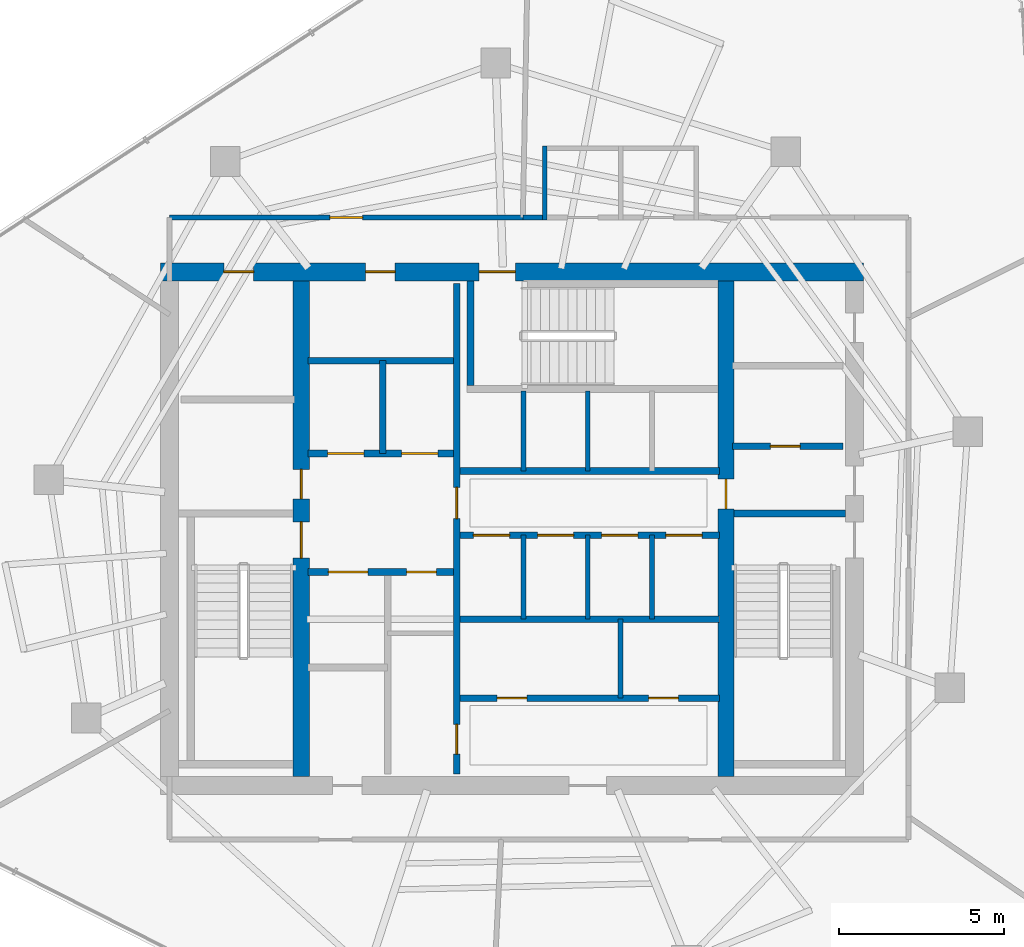
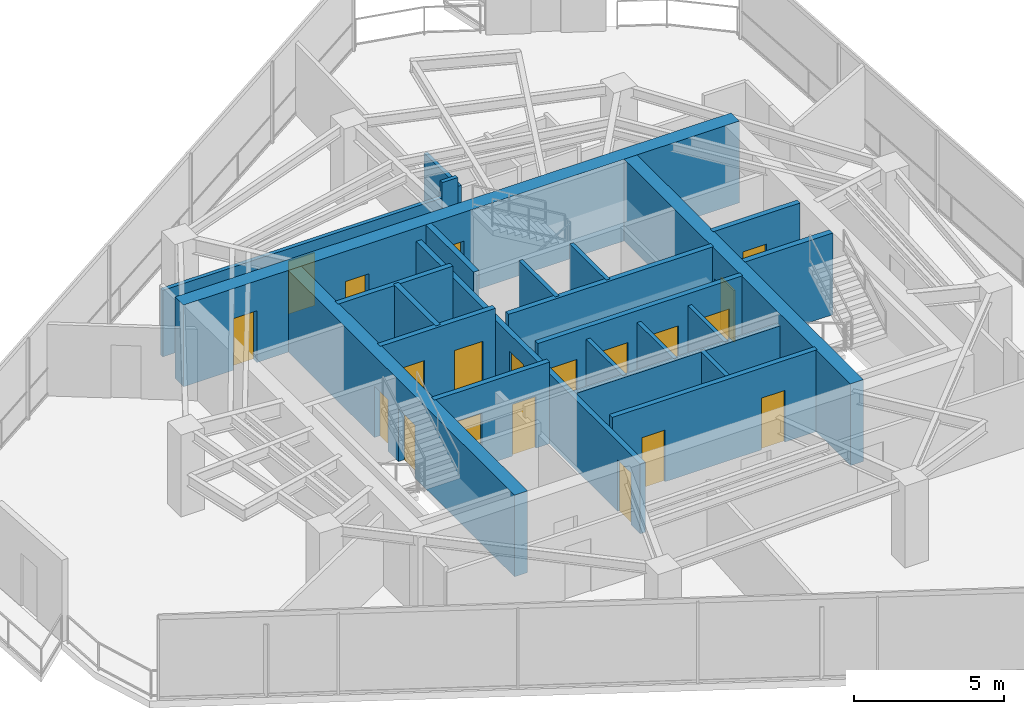
# One storey, part 15 of 18: 24 walls, 20 doors, 20 openings.
"""IFC4 building model written with IfcOpenShell, lengths in metres."""

from ifc_helpers import new_model, si_unit, direction, frame, frame_2d, origin, place, context, subcontext, project, spatial, rectangle, extrude, material, layer, layer_set, type_object, element, fill, save


model = new_model("IFC4")

# Units and contexts
model_context = context("Model", 3, precision=1e-05, world=origin(), true_north=direction((0.0, 1.0)))
body_context = subcontext(model_context, "Body", "Model", "MODEL_VIEW")
ifc_project = project(units=[si_unit("LENGTHUNIT", "METRE"), si_unit("AREAUNIT", "SQUARE_METRE"), si_unit("VOLUMEUNIT", "CUBIC_METRE"), si_unit("PLANEANGLEUNIT", "RADIAN"), si_unit("MASSUNIT", "GRAM", prefix="KILO")], contexts=[model_context])

# Site, building, storey
site_placement = place(None, origin())
site = spatial("IfcSite", under=ifc_project, at=site_placement, CompositionType="ELEMENT")
building_placement = place(site_placement, origin())
building = spatial("IfcBuilding", under=site, at=building_placement, Name="Qarnah Convention Tower", CompositionType="ELEMENT")
storey_placement = place(building_placement, frame((0.0, 0.0, 191.39990234375)))
storey = spatial("IfcBuildingStorey", under=building, at=storey_placement, Name="L51", CompositionType="ELEMENT", Elevation=191.39990234375)

# Wall, openings, doors
ifc_material_1 = material(Name="Concrete C60/75", Category="concrete")
ifc_layer_1 = layer(ifc_material_1, 0.550048828125)
ifc_layer_set_1 = layer_set([ifc_layer_1], Name="Concrete C60/75")
wall_type_1 = type_object("IfcWallType", Name="WL-CORE-550", PredefinedType="SHEAR", material=ifc_layer_set_1)
wall_1_placement = place(storey_placement, frame((26.52490234375, 34.199951171875, 0.0), z_axis=(0.0, 0.0, 1.0), x_axis=(1.0, 0.0, 0.0)))
wall_1 = element("IfcWall", 1, at=wall_1_placement, inside=storey, type_object=wall_type_1, Name="L51 core north shear wall", PredefinedType="SHEAR", context=body_context, shape_type="SweptSolid", body=[
    extrude(rectangle(XDim=21.35009765625, YDim=0.550048828125, at=frame_2d((10.675048828125, 0.0))), origin(), (0.0, 0.0, 1.0), 3.320068359375),
])
opening_1_placement = place(wall_1_placement, frame((9.675048828125, 0.0, 0.0)))
opening_1 = element("IfcOpeningElement", 2, at=opening_1_placement, cuts=wall_1, Name="Opening D-5103", PredefinedType="OPENING", context=body_context, shape_type="SweptSolid", body=[
    extrude(rectangle(XDim=1.10009765625, YDim=2.14990234375, at=frame_2d((0.550048828125, 1.074951171875))), frame((0.0, 0.284912109375, 0.0), z_axis=(0.0, -1.0, 0.0), x_axis=(1.0, 0.0, 0.0)), (0.0, 0.0, 1.0), 0.570068359375),
])
opening_2_placement = place(wall_1_placement, frame((1.925048828125, 0.0, 0.0)))
opening_2 = element("IfcOpeningElement", 3, at=opening_2_placement, cuts=wall_1, Name="Opening D-5109", PredefinedType="OPENING", context=body_context, shape_type="SweptSolid", body=[
    extrude(rectangle(XDim=0.89990234375, YDim=2.10009765625, at=frame_2d((0.449951171875, 1.050048828125))), frame((0.0, 0.284912109375, 0.0), z_axis=(0.0, -1.0, 0.0), x_axis=(1.0, 0.0, 0.0)), (0.0, 0.0, 1.0), 0.570068359375),
])
opening_3_placement = place(wall_1_placement, frame((6.22509765625, 0.0, 0.0)))
opening_3 = element("IfcOpeningElement", 4, at=opening_3_placement, cuts=wall_1, Name="Opening D-5110", PredefinedType="OPENING", context=body_context, shape_type="SweptSolid", body=[
    extrude(rectangle(XDim=0.89990234375, YDim=2.10009765625, at=frame_2d((0.449951171875, 1.050048828125))), frame((0.0, 0.284912109375, 0.0), z_axis=(0.0, -1.0, 0.0), x_axis=(1.0, 0.0, 0.0)), (0.0, 0.0, 1.0), 0.570068359375),
])
ifc_material_2 = material(Name="Structural steel S355JR", Category="steel")
door_type_1 = type_object("IfcDoorType", Name="DT-RISER-900", OperationType="NOTDEFINED", PredefinedType="DOOR", material=ifc_material_2)
door_1_placement = place(opening_2_placement, origin())
door_1 = element("IfcDoor", 5, at=door_1_placement, inside=storey, type_object=door_type_1, Name="Door D-5109", OperationType="SINGLE_SWING_RIGHT", OverallHeight=2.10009765625, OverallWidth=0.89990234375, PredefinedType="DOOR", context=body_context, shape_type="SweptSolid", body=[
    extrude(rectangle(XDim=0.89990234375, YDim=2.10009765625, at=frame_2d((0.449951171875, 1.050048828125))), frame((0.0, 0.02490234375, 0.0), z_axis=(0.0, -1.0, 0.0), x_axis=(1.0, 0.0, 0.0)), (0.0, 0.0, 1.0), 0.050048828125),
])
fill(opening_2, door_1)
door_2_placement = place(opening_3_placement, origin())
door_2 = element("IfcDoor", 6, at=door_2_placement, inside=storey, type_object=door_type_1, Name="Door D-5110", OperationType="SINGLE_SWING_LEFT", OverallHeight=2.10009765625, OverallWidth=0.89990234375, PredefinedType="DOOR", context=body_context, shape_type="SweptSolid", body=[
    extrude(rectangle(XDim=0.89990234375, YDim=2.10009765625, at=frame_2d((0.449951171875, 1.050048828125))), frame((0.0, 0.02490234375, 0.0), z_axis=(0.0, -1.0, 0.0), x_axis=(1.0, 0.0, 0.0)), (0.0, 0.0, 1.0), 0.050048828125),
])
fill(opening_3, door_2)
door_type_2 = type_object("IfcDoorType", Name="DT-STAIR-1100", OperationType="NOTDEFINED", PredefinedType="DOOR", material=ifc_material_2)
door_3_placement = place(opening_1_placement, origin())
door_3 = element("IfcDoor", 7, at=door_3_placement, inside=storey, type_object=door_type_2, Name="Door D-5103", OperationType="SINGLE_SWING_RIGHT", OverallHeight=2.14990234375, OverallWidth=1.10009765625, PredefinedType="DOOR", context=body_context, shape_type="SweptSolid", body=[
    extrude(rectangle(XDim=1.10009765625, YDim=2.14990234375, at=frame_2d((0.550048828125, 1.074951171875))), frame((0.0, 0.02490234375, 0.0), z_axis=(0.0, -1.0, 0.0), x_axis=(1.0, 0.0, 0.0)), (0.0, 0.0, 1.0), 0.050048828125),
])
fill(opening_1, door_3)

ifc_layer_2 = layer(ifc_material_1, 0.5)
ifc_layer_set_2 = layer_set([ifc_layer_2], Name="Concrete C60/75")
wall_type_2 = type_object("IfcWallType", Name="WL-CORE-INT-400", PredefinedType="SHEAR", material=ifc_layer_set_2)
wall_2_placement = place(storey_placement, frame((30.800048828125, 18.875, 0.0), z_axis=(0.0, 0.0, 1.0), x_axis=(0.0, 1.0, 0.0)))
wall_2 = element("IfcWall", 8, at=wall_2_placement, inside=storey, type_object=wall_type_2, Name="L51 core west spine shear wall", PredefinedType="SHEAR", context=body_context, shape_type="SweptSolid", body=[
    extrude(rectangle(XDim=15.050048828125, YDim=0.5, at=frame_2d((7.52490234375, 0.0))), origin(), (0.0, 0.0, 1.0), 3.320068359375),
])
opening_4_placement = place(wall_2_placement, frame((6.625, 0.0, 0.0)))
opening_4 = element("IfcOpeningElement", 9, at=opening_4_placement, cuts=wall_2, Name="Opening D-5101", PredefinedType="OPENING", context=body_context, shape_type="SweptSolid", body=[
    extrude(rectangle(XDim=1.10009765625, YDim=2.14990234375, at=frame_2d((0.550048828125, 1.074951171875))), frame((0.0, 0.260009765625, 0.0), z_axis=(0.0, -1.0, 0.0), x_axis=(1.0, 0.0, 0.0)), (0.0, 0.0, 1.0), 0.52001953125),
])
opening_5_placement = place(wall_2_placement, frame((8.425048828125, 0.0, 0.0)))
opening_5 = element("IfcOpeningElement", 10, at=opening_5_placement, cuts=wall_2, Name="Opening D-5108", PredefinedType="OPENING", context=body_context, shape_type="SweptSolid", body=[
    extrude(rectangle(XDim=0.89990234375, YDim=2.10009765625, at=frame_2d((0.449951171875, 1.050048828125))), frame((0.0, 0.260009765625, 0.0), z_axis=(0.0, -1.0, 0.0), x_axis=(1.0, 0.0, 0.0)), (0.0, 0.0, 1.0), 0.52001953125),
])
door_4_placement = place(opening_5_placement, origin())
door_4 = element("IfcDoor", 11, at=door_4_placement, inside=storey, type_object=door_type_1, Name="Door D-5108", OperationType="SINGLE_SWING_LEFT", OverallHeight=2.10009765625, OverallWidth=0.89990234375, PredefinedType="DOOR", context=body_context, shape_type="SweptSolid", body=[
    extrude(rectangle(XDim=0.89990234375, YDim=2.10009765625, at=frame_2d((0.449951171875, 1.050048828125))), frame((0.0, 0.02490234375, 0.0), z_axis=(0.0, -1.0, 0.0), x_axis=(1.0, 0.0, 0.0)), (0.0, 0.0, 1.0), 0.050048828125),
])
fill(opening_5, door_4)
door_5_placement = place(opening_4_placement, origin())
door_5 = element("IfcDoor", 12, at=door_5_placement, inside=storey, type_object=door_type_2, Name="Door D-5101", OperationType="SINGLE_SWING_RIGHT", OverallHeight=2.14990234375, OverallWidth=1.10009765625, PredefinedType="DOOR", context=body_context, shape_type="SweptSolid", body=[
    extrude(rectangle(XDim=1.10009765625, YDim=2.14990234375, at=frame_2d((0.550048828125, 1.074951171875))), frame((0.0, 0.02490234375, 0.0), z_axis=(0.0, -1.0, 0.0), x_axis=(1.0, 0.0, 0.0)), (0.0, 0.0, 1.0), 0.050048828125),
])
fill(opening_4, door_5)

# Wall, opening, door
wall_3_placement = place(storey_placement, frame((43.699951171875, 18.875, 0.0), z_axis=(0.0, 0.0, 1.0), x_axis=(0.0, 1.0, 0.0)))
wall_3 = element("IfcWall", 13, at=wall_3_placement, inside=storey, type_object=wall_type_2, Name="L51 core east spine shear wall", PredefinedType="SHEAR", context=body_context, shape_type="SweptSolid", body=[
    extrude(rectangle(XDim=15.050048828125, YDim=0.5, at=frame_2d((7.52490234375, 0.0))), origin(), (0.0, 0.0, 1.0), 3.320068359375),
])
opening_6_placement = place(wall_3_placement, frame((8.125, 0.0, 0.0)))
opening_6 = element("IfcOpeningElement", 14, at=opening_6_placement, cuts=wall_3, Name="Opening D-5105", PredefinedType="OPENING", context=body_context, shape_type="SweptSolid", body=[
    extrude(rectangle(XDim=0.89990234375, YDim=2.10009765625, at=frame_2d((0.449951171875, 1.050048828125))), frame((0.0, 0.260009765625, 0.0), z_axis=(0.0, -1.0, 0.0), x_axis=(1.0, 0.0, 0.0)), (0.0, 0.0, 1.0), 0.52001953125),
])
door_6_placement = place(opening_6_placement, origin())
door_6 = element("IfcDoor", 15, at=door_6_placement, inside=storey, type_object=door_type_1, Name="Door D-5105", OperationType="SINGLE_SWING_RIGHT", OverallHeight=2.10009765625, OverallWidth=0.89990234375, PredefinedType="DOOR", context=body_context, shape_type="SweptSolid", body=[
    extrude(rectangle(XDim=0.89990234375, YDim=2.10009765625, at=frame_2d((0.449951171875, 1.050048828125))), frame((0.0, 0.02490234375, 0.0), z_axis=(0.0, -1.0, 0.0), x_axis=(1.0, 0.0, 0.0)), (0.0, 0.0, 1.0), 0.050048828125),
])
fill(opening_6, door_6)

ifc_material_3 = material(Name="Concrete C45/55", Category="concrete")
ifc_layer_3 = layer(ifc_material_3, 0.199951171875)
ifc_layer_set_3 = layer_set([ifc_layer_3], Name="Concrete C45/55")
wall_type_3 = type_object("IfcWallType", Name="WL-CORE-PART-200", PredefinedType="SOLIDWALL", material=ifc_layer_set_3)
wall_4_placement = place(storey_placement, frame((43.89990234375, 28.89990234375, 0.0), z_axis=(0.0, 0.0, 1.0), x_axis=(1.0, 0.0, 0.0)))
wall_4 = element("IfcWall", 16, at=wall_4_placement, inside=storey, type_object=wall_type_3, Name="L51 interior wall IW-L51-EVSTN", PredefinedType="SOLIDWALL", context=body_context, shape_type="SweptSolid", body=[
    extrude(rectangle(XDim=3.35009765625, YDim=0.199951171875, at=frame_2d((1.675048828125, 0.0))), origin(), (0.0, 0.0, 1.0), 3.320068359375),
])
opening_7_placement = place(wall_4_placement, frame((1.14990234375, 0.0, 0.0)))
opening_7 = element("IfcOpeningElement", 17, at=opening_7_placement, cuts=wall_4, Name="Opening D-5111", PredefinedType="OPENING", context=body_context, shape_type="SweptSolid", body=[
    extrude(rectangle(XDim=0.89990234375, YDim=2.10009765625, at=frame_2d((0.449951171875, 1.050048828125))), frame((0.0, 0.10986328125, 0.0), z_axis=(0.0, -1.0, 0.0), x_axis=(1.0, 0.0, 0.0)), (0.0, 0.0, 1.0), 0.219970703125),
])
door_7_placement = place(opening_7_placement, origin())
door_7 = element("IfcDoor", 18, at=door_7_placement, inside=storey, type_object=door_type_1, Name="Door D-5111", OperationType="SINGLE_SWING_RIGHT", OverallHeight=2.10009765625, OverallWidth=0.89990234375, PredefinedType="DOOR", context=body_context, shape_type="SweptSolid", body=[
    extrude(rectangle(XDim=0.89990234375, YDim=2.10009765625, at=frame_2d((0.449951171875, 1.050048828125))), frame((0.0, 0.02490234375, 0.0), z_axis=(0.0, -1.0, 0.0), x_axis=(1.0, 0.0, 0.0)), (0.0, 0.0, 1.0), 0.050048828125),
])
fill(opening_7, door_7)

# Wall, openings, doors
wall_5_placement = place(storey_placement, frame((35.52001953125, 18.949951171875, 0.0), z_axis=(0.0, 0.0, 1.0), x_axis=(0.0, 1.0, 0.0)))
wall_5 = element("IfcWall", 19, at=wall_5_placement, inside=storey, type_object=wall_type_3, Name="L51 interior wall IW-L51-CSP", PredefinedType="SOLIDWALL", context=body_context, shape_type="SweptSolid", body=[
    extrude(rectangle(XDim=14.900146484375, YDim=0.199951171875, at=frame_2d((7.4501953125, 0.0))), origin(), (0.0, 0.0, 1.0), 2.841064453125),
])
opening_8_placement = place(wall_5_placement, frame((7.7548828125, 0.0, 0.0)))
opening_8 = element("IfcOpeningElement", 20, at=opening_8_placement, cuts=wall_5, Name="Opening D-5104", PredefinedType="OPENING", context=body_context, shape_type="SweptSolid", body=[
    extrude(rectangle(XDim=0.949951171875, YDim=2.14990234375, at=frame_2d((0.47509765625, 1.074951171875))), frame((0.0, 0.10986328125, 0.0), z_axis=(0.0, -1.0, 0.0), x_axis=(1.0, 0.0, 0.0)), (0.0, 0.0, 1.0), 0.219970703125),
])
opening_9_placement = place(wall_5_placement, frame((0.60009765625, 0.0, 0.0)))
opening_9 = element("IfcOpeningElement", 21, at=opening_9_placement, cuts=wall_5, Name="Opening D-5114", PredefinedType="OPENING", context=body_context, shape_type="SweptSolid", body=[
    extrude(rectangle(XDim=0.89990234375, YDim=2.10009765625, at=frame_2d((0.449951171875, 1.050048828125))), frame((0.0, 0.10986328125, 0.0), z_axis=(0.0, -1.0, 0.0), x_axis=(1.0, 0.0, 0.0)), (0.0, 0.0, 1.0), 0.219970703125),
])
ifc_material_4 = material(Name="Oak timber veneer", Category="wood")
door_type_3 = type_object("IfcDoorType", Name="DT-HOTEL-950", OperationType="NOTDEFINED", PredefinedType="DOOR", material=ifc_material_4)
door_8_placement = place(opening_8_placement, origin())
door_8 = element("IfcDoor", 22, at=door_8_placement, inside=storey, type_object=door_type_3, Name="Door D-5104", OperationType="SINGLE_SWING_LEFT", OverallHeight=2.14990234375, OverallWidth=0.949951171875, PredefinedType="DOOR", context=body_context, shape_type="SweptSolid", body=[
    extrude(rectangle(XDim=0.949951171875, YDim=2.14990234375, at=frame_2d((0.47509765625, 1.074951171875))), frame((0.0, 0.02490234375, 0.0), z_axis=(0.0, -1.0, 0.0), x_axis=(1.0, 0.0, 0.0)), (0.0, 0.0, 1.0), 0.050048828125),
])
fill(opening_8, door_8)
door_9_placement = place(opening_9_placement, origin())
door_9 = element("IfcDoor", 23, at=door_9_placement, inside=storey, type_object=door_type_1, Name="Door D-5114", OperationType="SINGLE_SWING_LEFT", OverallHeight=2.10009765625, OverallWidth=0.89990234375, PredefinedType="DOOR", context=body_context, shape_type="SweptSolid", body=[
    extrude(rectangle(XDim=0.89990234375, YDim=2.10009765625, at=frame_2d((0.449951171875, 1.050048828125))), frame((0.0, 0.02490234375, 0.0), z_axis=(0.0, -1.0, 0.0), x_axis=(1.0, 0.0, 0.0)), (0.0, 0.0, 1.0), 0.050048828125),
])
fill(opening_9, door_9)

wall_6_placement = place(storey_placement, frame((31.0, 28.679931640625, 0.0), z_axis=(0.0, 0.0, 1.0), x_axis=(1.0, 0.0, 0.0)))
wall_6 = element("IfcWall", 24, at=wall_6_placement, inside=storey, type_object=wall_type_3, Name="L51 interior wall IW-L51-FFLS", PredefinedType="SOLIDWALL", context=body_context, shape_type="SweptSolid", body=[
    extrude(rectangle(XDim=4.419921875, YDim=0.199951171875, at=frame_2d((2.2099609375, 0.0))), origin(), (0.0, 0.0, 1.0), 3.320068359375),
])
opening_10_placement = place(wall_6_placement, frame((0.60009765625, 0.0, 0.0)))
opening_10 = element("IfcOpeningElement", 25, at=opening_10_placement, cuts=wall_6, Name="Opening LD-5101", PredefinedType="OPENING", context=body_context, shape_type="SweptSolid", body=[
    extrude(rectangle(XDim=1.10009765625, YDim=2.14990234375, at=frame_2d((0.550048828125, 1.074951171875))), frame((0.0, 0.10986328125, 0.0), z_axis=(0.0, -1.0, 0.0), x_axis=(1.0, 0.0, 0.0)), (0.0, 0.0, 1.0), 0.219970703125),
])
opening_11_placement = place(wall_6_placement, frame((2.85009765625, 0.0, 0.0)))
opening_11 = element("IfcOpeningElement", 26, at=opening_11_placement, cuts=wall_6, Name="Opening LD-5102", PredefinedType="OPENING", context=body_context, shape_type="SweptSolid", body=[
    extrude(rectangle(XDim=1.10009765625, YDim=2.14990234375, at=frame_2d((0.550048828125, 1.074951171875))), frame((0.0, 0.10986328125, 0.0), z_axis=(0.0, -1.0, 0.0), x_axis=(1.0, 0.0, 0.0)), (0.0, 0.0, 1.0), 0.219970703125),
])
door_type_4 = type_object("IfcDoorType", Name="DT-LIFT-1100", OperationType="SLIDING_TO_LEFT", PredefinedType="DOOR", material=ifc_material_2)
door_10_placement = place(opening_10_placement, origin())
door_10 = element("IfcDoor", 27, at=door_10_placement, inside=storey, type_object=door_type_4, Name="Door LD-5101", OperationType="SLIDING_TO_LEFT", OverallHeight=2.14990234375, OverallWidth=1.10009765625, PredefinedType="DOOR", context=body_context, shape_type="SweptSolid", body=[
    extrude(rectangle(XDim=1.10009765625, YDim=2.14990234375, at=frame_2d((0.550048828125, 1.074951171875))), frame((0.0, 0.02490234375, 0.0), z_axis=(0.0, -1.0, 0.0), x_axis=(1.0, 0.0, 0.0)), (0.0, 0.0, 1.0), 0.050048828125),
])
fill(opening_10, door_10)
door_11_placement = place(opening_11_placement, origin())
door_11 = element("IfcDoor", 28, at=door_11_placement, inside=storey, type_object=door_type_4, Name="Door LD-5102", OperationType="SLIDING_TO_LEFT", OverallHeight=2.14990234375, OverallWidth=1.10009765625, PredefinedType="DOOR", context=body_context, shape_type="SweptSolid", body=[
    extrude(rectangle(XDim=1.10009765625, YDim=2.14990234375, at=frame_2d((0.550048828125, 1.074951171875))), frame((0.0, 0.02490234375, 0.0), z_axis=(0.0, -1.0, 0.0), x_axis=(1.0, 0.0, 0.0)), (0.0, 0.0, 1.0), 0.050048828125),
])
fill(opening_11, door_11)

# Walls
wall_7_placement = place(storey_placement, frame((31.0, 31.5, 0.0), z_axis=(0.0, 0.0, 1.0), x_axis=(1.0, 0.0, 0.0)))
element("IfcWall", 29, at=wall_7_placement, inside=storey, type_object=wall_type_3, Name="L51 interior wall IW-L51-FFLN", PredefinedType="SOLIDWALL", context=body_context, shape_type="SweptSolid", body=[
    extrude(rectangle(XDim=4.419921875, YDim=0.199951171875, at=frame_2d((2.2099609375, 0.0))), origin(), (0.0, 0.0, 1.0), 3.320068359375),
])
wall_8_placement = place(storey_placement, frame((33.280029296875, 28.679931640625, 0.0), z_axis=(0.0, 0.0, 1.0), x_axis=(0.0, 1.0, 0.0)))
element("IfcWall", 30, at=wall_8_placement, inside=storey, type_object=wall_type_3, Name="L51 interior wall IW-L51-FFLM", PredefinedType="SOLIDWALL", context=body_context, shape_type="SweptSolid", body=[
    extrude(rectangle(XDim=2.820068359375, YDim=0.199951171875, at=frame_2d((1.41015625, 0.0))), origin(), (0.0, 0.0, 1.0), 3.320068359375),
])

# Wall, openings, doors
wall_9_placement = place(storey_placement, frame((31.0, 25.080078125, 0.0), z_axis=(0.0, 0.0, 1.0), x_axis=(1.0, 0.0, 0.0)))
wall_9 = element("IfcWall", 31, at=wall_9_placement, inside=storey, type_object=wall_type_3, Name="L51 interior wall IW-L51-FFLBS", PredefinedType="SOLIDWALL", context=body_context, shape_type="SweptSolid", body=[
    extrude(rectangle(XDim=4.419921875, YDim=0.199951171875, at=frame_2d((2.2099609375, 0.0))), origin(), (0.0, 0.0, 1.0), 3.320068359375),
])
opening_12_placement = place(wall_9_placement, frame((3.0, 0.0, 0.0)))
opening_12 = element("IfcOpeningElement", 32, at=opening_12_placement, cuts=wall_9, Name="Opening D-5115", PredefinedType="OPENING", context=body_context, shape_type="SweptSolid", body=[
    extrude(rectangle(XDim=0.89990234375, YDim=2.10009765625, at=frame_2d((0.449951171875, 1.050048828125))), frame((0.0, 0.10986328125, 0.0), z_axis=(0.0, -1.0, 0.0), x_axis=(1.0, 0.0, 0.0)), (0.0, 0.0, 1.0), 0.219970703125),
])
opening_13_placement = place(wall_9_placement, frame((0.6201171875, 0.0, 0.0)))
opening_13 = element("IfcOpeningElement", 33, at=opening_13_placement, cuts=wall_9, Name="Opening LD-5103", PredefinedType="OPENING", context=body_context, shape_type="SweptSolid", body=[
    extrude(rectangle(XDim=1.199951171875, YDim=2.14990234375, at=frame_2d((0.60009765625, 1.074951171875))), frame((0.0, 0.10986328125, 0.0), z_axis=(0.0, -1.0, 0.0), x_axis=(1.0, 0.0, 0.0)), (0.0, 0.0, 1.0), 0.219970703125),
])
door_type_5 = type_object("IfcDoorType", Name="DT-LIFT-1200", OperationType="SLIDING_TO_LEFT", PredefinedType="DOOR", material=ifc_material_2)
door_12_placement = place(opening_13_placement, origin())
door_12 = element("IfcDoor", 34, at=door_12_placement, inside=storey, type_object=door_type_5, Name="Door LD-5103", OperationType="SLIDING_TO_LEFT", OverallHeight=2.14990234375, OverallWidth=1.199951171875, PredefinedType="DOOR", context=body_context, shape_type="SweptSolid", body=[
    extrude(rectangle(XDim=1.199951171875, YDim=2.14990234375, at=frame_2d((0.60009765625, 1.074951171875))), frame((0.0, 0.02490234375, 0.0), z_axis=(0.0, -1.0, 0.0), x_axis=(1.0, 0.0, 0.0)), (0.0, 0.0, 1.0), 0.050048828125),
])
fill(opening_13, door_12)
door_13_placement = place(opening_12_placement, origin())
door_13 = element("IfcDoor", 35, at=door_13_placement, inside=storey, type_object=door_type_1, Name="Door D-5115", OperationType="SINGLE_SWING_RIGHT", OverallHeight=2.10009765625, OverallWidth=0.89990234375, PredefinedType="DOOR", context=body_context, shape_type="SweptSolid", body=[
    extrude(rectangle(XDim=0.89990234375, YDim=2.10009765625, at=frame_2d((0.449951171875, 1.050048828125))), frame((0.0, 0.02490234375, 0.0), z_axis=(0.0, -1.0, 0.0), x_axis=(1.0, 0.0, 0.0)), (0.0, 0.0, 1.0), 0.050048828125),
])
fill(opening_12, door_13)

# Wall
wall_10_placement = place(storey_placement, frame((35.6201171875, 28.14990234375, 0.0), z_axis=(0.0, 0.0, 1.0), x_axis=(1.0, 0.0, 0.0)))
element("IfcWall", 36, at=wall_10_placement, inside=storey, type_object=wall_type_3, Name="L51 interior wall IW-L51-PHS", PredefinedType="SOLIDWALL", context=body_context, shape_type="SweptSolid", body=[
    extrude(rectangle(XDim=7.8798828125, YDim=0.199951171875, at=frame_2d((3.93994140625, 0.0))), origin(), (0.0, 0.0, 1.0), 3.320068359375),
])

# Wall, openings, doors
wall_11_placement = place(storey_placement, frame((35.6201171875, 26.199951171875, 0.0), z_axis=(0.0, 0.0, 1.0), x_axis=(1.0, 0.0, 0.0)))
wall_11 = element("IfcWall", 37, at=wall_11_placement, inside=storey, type_object=wall_type_3, Name="L51 interior wall IW-L51-PMN", PredefinedType="SOLIDWALL", context=body_context, shape_type="SweptSolid", body=[
    extrude(rectangle(XDim=7.8798828125, YDim=0.199951171875, at=frame_2d((3.93994140625, 0.0))), origin(), (0.0, 0.0, 1.0), 3.320068359375),
])
opening_14_placement = place(wall_11_placement, frame((0.405029296875, 0.0, 0.0)))
opening_14 = element("IfcOpeningElement", 38, at=opening_14_placement, cuts=wall_11, Name="Opening LD-5104", PredefinedType="OPENING", context=body_context, shape_type="SweptSolid", body=[
    extrude(rectangle(XDim=1.10009765625, YDim=2.14990234375, at=frame_2d((0.550048828125, 1.074951171875))), frame((0.0, 0.10986328125, 0.0), z_axis=(0.0, -1.0, 0.0), x_axis=(1.0, 0.0, 0.0)), (0.0, 0.0, 1.0), 0.219970703125),
])
opening_15_placement = place(wall_11_placement, frame((2.35498046875, 0.0, 0.0)))
opening_15 = element("IfcOpeningElement", 39, at=opening_15_placement, cuts=wall_11, Name="Opening LD-5105", PredefinedType="OPENING", context=body_context, shape_type="SweptSolid", body=[
    extrude(rectangle(XDim=1.10009765625, YDim=2.14990234375, at=frame_2d((0.550048828125, 1.074951171875))), frame((0.0, 0.10986328125, 0.0), z_axis=(0.0, -1.0, 0.0), x_axis=(1.0, 0.0, 0.0)), (0.0, 0.0, 1.0), 0.219970703125),
])
opening_16_placement = place(wall_11_placement, frame((4.304931640625, 0.0, 0.0)))
opening_16 = element("IfcOpeningElement", 40, at=opening_16_placement, cuts=wall_11, Name="Opening LD-5106", PredefinedType="OPENING", context=body_context, shape_type="SweptSolid", body=[
    extrude(rectangle(XDim=1.10009765625, YDim=2.14990234375, at=frame_2d((0.550048828125, 1.074951171875))), frame((0.0, 0.10986328125, 0.0), z_axis=(0.0, -1.0, 0.0), x_axis=(1.0, 0.0, 0.0)), (0.0, 0.0, 1.0), 0.219970703125),
])
opening_17_placement = place(wall_11_placement, frame((6.2548828125, 0.0, 0.0)))
opening_17 = element("IfcOpeningElement", 41, at=opening_17_placement, cuts=wall_11, Name="Opening LD-5107", PredefinedType="OPENING", context=body_context, shape_type="SweptSolid", body=[
    extrude(rectangle(XDim=1.10009765625, YDim=2.14990234375, at=frame_2d((0.550048828125, 1.074951171875))), frame((0.0, 0.10986328125, 0.0), z_axis=(0.0, -1.0, 0.0), x_axis=(1.0, 0.0, 0.0)), (0.0, 0.0, 1.0), 0.219970703125),
])
door_14_placement = place(opening_14_placement, origin())
door_14 = element("IfcDoor", 42, at=door_14_placement, inside=storey, type_object=door_type_4, Name="Door LD-5104", OperationType="SLIDING_TO_LEFT", OverallHeight=2.14990234375, OverallWidth=1.10009765625, PredefinedType="DOOR", context=body_context, shape_type="SweptSolid", body=[
    extrude(rectangle(XDim=1.10009765625, YDim=2.14990234375, at=frame_2d((0.550048828125, 1.074951171875))), frame((0.0, 0.02490234375, 0.0), z_axis=(0.0, -1.0, 0.0), x_axis=(1.0, 0.0, 0.0)), (0.0, 0.0, 1.0), 0.050048828125),
])
fill(opening_14, door_14)
door_15_placement = place(opening_15_placement, origin())
door_15 = element("IfcDoor", 43, at=door_15_placement, inside=storey, type_object=door_type_4, Name="Door LD-5105", OperationType="SLIDING_TO_LEFT", OverallHeight=2.14990234375, OverallWidth=1.10009765625, PredefinedType="DOOR", context=body_context, shape_type="SweptSolid", body=[
    extrude(rectangle(XDim=1.10009765625, YDim=2.14990234375, at=frame_2d((0.550048828125, 1.074951171875))), frame((0.0, 0.02490234375, 0.0), z_axis=(0.0, -1.0, 0.0), x_axis=(1.0, 0.0, 0.0)), (0.0, 0.0, 1.0), 0.050048828125),
])
fill(opening_15, door_15)
door_16_placement = place(opening_16_placement, origin())
door_16 = element("IfcDoor", 44, at=door_16_placement, inside=storey, type_object=door_type_4, Name="Door LD-5106", OperationType="SLIDING_TO_LEFT", OverallHeight=2.14990234375, OverallWidth=1.10009765625, PredefinedType="DOOR", context=body_context, shape_type="SweptSolid", body=[
    extrude(rectangle(XDim=1.10009765625, YDim=2.14990234375, at=frame_2d((0.550048828125, 1.074951171875))), frame((0.0, 0.02490234375, 0.0), z_axis=(0.0, -1.0, 0.0), x_axis=(1.0, 0.0, 0.0)), (0.0, 0.0, 1.0), 0.050048828125),
])
fill(opening_16, door_16)
door_17_placement = place(opening_17_placement, origin())
door_17 = element("IfcDoor", 45, at=door_17_placement, inside=storey, type_object=door_type_4, Name="Door LD-5107", OperationType="SLIDING_TO_LEFT", OverallHeight=2.14990234375, OverallWidth=1.10009765625, PredefinedType="DOOR", context=body_context, shape_type="SweptSolid", body=[
    extrude(rectangle(XDim=1.10009765625, YDim=2.14990234375, at=frame_2d((0.550048828125, 1.074951171875))), frame((0.0, 0.02490234375, 0.0), z_axis=(0.0, -1.0, 0.0), x_axis=(1.0, 0.0, 0.0)), (0.0, 0.0, 1.0), 0.050048828125),
])
fill(opening_17, door_17)

# Wall
wall_12_placement = place(storey_placement, frame((35.6201171875, 23.64990234375, 0.0), z_axis=(0.0, 0.0, 1.0), x_axis=(1.0, 0.0, 0.0)))
element("IfcWall", 46, at=wall_12_placement, inside=storey, type_object=wall_type_3, Name="L51 interior wall IW-L51-PMPL", PredefinedType="SOLIDWALL", context=body_context, shape_type="SweptSolid", body=[
    extrude(rectangle(XDim=7.8798828125, YDim=0.199951171875, at=frame_2d((3.93994140625, 0.0))), origin(), (0.0, 0.0, 1.0), 2.841064453125),
])

# Wall, openings, doors
wall_13_placement = place(storey_placement, frame((35.6201171875, 21.25, 0.0), z_axis=(0.0, 0.0, 1.0), x_axis=(1.0, 0.0, 0.0)))
wall_13 = element("IfcWall", 47, at=wall_13_placement, inside=storey, type_object=wall_type_3, Name="L51 interior wall IW-L51-PLS", PredefinedType="SOLIDWALL", context=body_context, shape_type="SweptSolid", body=[
    extrude(rectangle(XDim=7.8798828125, YDim=0.199951171875, at=frame_2d((3.93994140625, 0.0))), origin(), (0.0, 0.0, 1.0), 3.320068359375),
])
opening_18_placement = place(wall_13_placement, frame((1.1298828125, 0.0, 0.0)))
opening_18 = element("IfcOpeningElement", 48, at=opening_18_placement, cuts=wall_13, Name="Opening D-5116", PredefinedType="OPENING", context=body_context, shape_type="SweptSolid", body=[
    extrude(rectangle(XDim=0.89990234375, YDim=2.10009765625, at=frame_2d((0.449951171875, 1.050048828125))), frame((0.0, 0.10986328125, 0.0), z_axis=(0.0, -1.0, 0.0), x_axis=(1.0, 0.0, 0.0)), (0.0, 0.0, 1.0), 0.219970703125),
])
opening_19_placement = place(wall_13_placement, frame((5.72998046875, 0.0, 0.0)))
opening_19 = element("IfcOpeningElement", 49, at=opening_19_placement, cuts=wall_13, Name="Opening D-5117", PredefinedType="OPENING", context=body_context, shape_type="SweptSolid", body=[
    extrude(rectangle(XDim=0.89990234375, YDim=2.10009765625, at=frame_2d((0.449951171875, 1.050048828125))), frame((0.0, 0.10986328125, 0.0), z_axis=(0.0, -1.0, 0.0), x_axis=(1.0, 0.0, 0.0)), (0.0, 0.0, 1.0), 0.219970703125),
])
door_18_placement = place(opening_18_placement, origin())
door_18 = element("IfcDoor", 50, at=door_18_placement, inside=storey, type_object=door_type_1, Name="Door D-5116", OperationType="SINGLE_SWING_LEFT", OverallHeight=2.10009765625, OverallWidth=0.89990234375, PredefinedType="DOOR", context=body_context, shape_type="SweptSolid", body=[
    extrude(rectangle(XDim=0.89990234375, YDim=2.10009765625, at=frame_2d((0.449951171875, 1.050048828125))), frame((0.0, 0.02490234375, 0.0), z_axis=(0.0, -1.0, 0.0), x_axis=(1.0, 0.0, 0.0)), (0.0, 0.0, 1.0), 0.050048828125),
])
fill(opening_18, door_18)
door_19_placement = place(opening_19_placement, origin())
door_19 = element("IfcDoor", 51, at=door_19_placement, inside=storey, type_object=door_type_1, Name="Door D-5117", OperationType="SINGLE_SWING_RIGHT", OverallHeight=2.10009765625, OverallWidth=0.89990234375, PredefinedType="DOOR", context=body_context, shape_type="SweptSolid", body=[
    extrude(rectangle(XDim=0.89990234375, YDim=2.10009765625, at=frame_2d((0.449951171875, 1.050048828125))), frame((0.0, 0.02490234375, 0.0), z_axis=(0.0, -1.0, 0.0), x_axis=(1.0, 0.0, 0.0)), (0.0, 0.0, 1.0), 0.050048828125),
])
fill(opening_19, door_19)

# Walls
ifc_layer_4 = layer(ifc_material_1, 0.219970703125)
ifc_layer_set_4 = layer_set([ifc_layer_4], Name="Concrete C60/75")
wall_type_4 = type_object("IfcWallType", Name="WL-CORE-STAIR-220", PredefinedType="SHEAR", material=ifc_layer_set_4)
wall_14_placement = place(storey_placement, frame((43.949951171875, 26.860107421875, 0.0), z_axis=(0.0, 0.0, 1.0), x_axis=(1.0, 0.0, 0.0)))
element("IfcWall", 52, at=wall_14_placement, inside=storey, type_object=wall_type_4, Name="L51 stair shaft shear wall SW-L51-ST2N", PredefinedType="SHEAR", context=body_context, shape_type="SweptSolid", body=[
    extrude(rectangle(XDim=3.375, YDim=0.219970703125, at=frame_2d((1.6875, 0.0))), origin(), (0.0, 0.0, 1.0), 3.320068359375),
])
wall_15_placement = place(storey_placement, frame((35.93994140625, 30.75, 0.0), z_axis=(0.0, 0.0, 1.0), x_axis=(0.0, 1.0, 0.0)))
element("IfcWall", 53, at=wall_15_placement, inside=storey, type_object=wall_type_4, Name="L51 stair shaft shear wall SW-L51-ST3W", PredefinedType="SHEAR", context=body_context, shape_type="SweptSolid", body=[
    extrude(rectangle(XDim=3.175048828125, YDim=0.219970703125, at=frame_2d((1.58740234375, 0.0))), origin(), (0.0, 0.0, 1.0), 3.320068359375),
])
ifc_material_5 = material(Name="Gypsum partition board")
ifc_layer_5 = layer(ifc_material_5, 0.14990234375)
ifc_layer_set_5 = layer_set([ifc_layer_5], Name="Gypsum partition board")
wall_type_5 = type_object("IfcWallType", Name="WL-SUITE-150", PredefinedType="PARTITIONING", material=ifc_layer_set_5)
for number, where, z_axis, x_axis, name in (
    (54, (37.550048828125, 28.14990234375, 0.0), (0.0, 0.0, 1.0), (0.0, 1.0, 0.0), "L51 interior wall IW-L51-PHD1"),
    (55, (39.5, 28.14990234375, 0.0), (0.0, 0.0, 1.0), (0.0, 1.0, 0.0), "L51 interior wall IW-L51-PHD2"),
):
    element("IfcWall", number, at=place(storey_placement, frame(where, z_axis=z_axis, x_axis=x_axis)), inside=storey, type_object=wall_type_5, Name=name, PredefinedType="PARTITIONING", context=body_context, shape_type="SweptSolid", body=[
        extrude(rectangle(XDim=2.43017578125, YDim=0.14990234375, at=frame_2d((1.215087890625, 0.0))), origin(), (0.0, 0.0, 1.0), 3.320068359375),
    ])
for number, where, z_axis, x_axis, name in (
    (56, (37.550048828125, 23.64990234375, 0.0), (0.0, 0.0, 1.0), (0.0, 1.0, 0.0), "L51 interior wall IW-L51-PMD1"),
    (57, (39.5, 23.64990234375, 0.0), (0.0, 0.0, 1.0), (0.0, 1.0, 0.0), "L51 interior wall IW-L51-PMD2"),
    (58, (41.449951171875, 23.64990234375, 0.0), (0.0, 0.0, 1.0), (0.0, 1.0, 0.0), "L51 interior wall IW-L51-PMD3"),
):
    element("IfcWall", number, at=place(storey_placement, frame(where, z_axis=z_axis, x_axis=x_axis)), inside=storey, type_object=wall_type_5, Name=name, PredefinedType="PARTITIONING", context=body_context, shape_type="SweptSolid", body=[
        extrude(rectangle(XDim=2.550048828125, YDim=0.14990234375, at=frame_2d((1.27490234375, 0.0))), origin(), (0.0, 0.0, 1.0), 2.841064453125),
    ])
wall_16_placement = place(storey_placement, frame((40.5, 21.25, 0.0), z_axis=(0.0, 0.0, 1.0), x_axis=(0.0, 1.0, 0.0)))
element("IfcWall", 59, at=wall_16_placement, inside=storey, type_object=wall_type_5, Name="L51 interior wall IW-L51-PLFD", PredefinedType="PARTITIONING", context=body_context, shape_type="SweptSolid", body=[
    extrude(rectangle(XDim=2.39990234375, YDim=0.14990234375, at=frame_2d((1.199951171875, 0.0))), origin(), (0.0, 0.0, 1.0), 2.841064453125),
])
wall_17_placement = place(storey_placement, frame((37.530029296875, 35.85009765625, 0.0), z_axis=(0.0, 0.0, 1.0), x_axis=(1.0, 0.0, 0.0)))
element("IfcWall", 60, at=wall_17_placement, inside=storey, type_object=wall_type_5, Name="L51 interior wall IW-L51-R-09", PredefinedType="PARTITIONING", context=body_context, shape_type="SweptSolid", body=[
    extrude(rectangle(XDim=0.599853515625, YDim=0.14990234375, at=frame_2d((0.2998046875, 0.0))), origin(), (0.0, 0.0, 1.0), 3.320068359375),
])

# Wall, opening, door
wall_18_placement = place(storey_placement, frame((26.800048828125, 35.85009765625, 0.0), z_axis=(0.0, 0.0, 1.0), x_axis=(1.0, 0.0, 0.0)))
wall_18 = element("IfcWall", 61, at=wall_18_placement, inside=storey, type_object=wall_type_5, Name="L51 interior wall IW-L51-R-17", PredefinedType="PARTITIONING", context=body_context, shape_type="SweptSolid", body=[
    extrude(rectangle(XDim=10.72998046875, YDim=0.14990234375, at=frame_2d((5.364990234375, 0.0))), origin(), (0.0, 0.0, 1.0), 2.697021484375),
])
opening_20_placement = place(wall_18_placement, frame((4.864990234375, 0.0, 0.0)))
opening_20 = element("IfcOpeningElement", 62, at=opening_20_placement, cuts=wall_18, Name="Opening D-5121", PredefinedType="OPENING", context=body_context, shape_type="SweptSolid", body=[
    extrude(rectangle(XDim=1.0, YDim=2.14990234375, at=frame_2d((0.5, 1.074951171875))), frame((0.0, 0.0849609375, 0.0), z_axis=(0.0, -1.0, 0.0), x_axis=(1.0, 0.0, 0.0)), (0.0, 0.0, 1.0), 0.169921875),
])
door_type_6 = type_object("IfcDoorType", Name="DT-OFFICE-1000", OperationType="NOTDEFINED", PredefinedType="DOOR", material=ifc_material_4)
door_20_placement = place(opening_20_placement, origin())
door_20 = element("IfcDoor", 63, at=door_20_placement, inside=storey, type_object=door_type_6, Name="Door D-5121", OperationType="SINGLE_SWING_RIGHT", OverallHeight=2.14990234375, OverallWidth=1.0, PredefinedType="DOOR", context=body_context, shape_type="SweptSolid", body=[
    extrude(rectangle(XDim=1.0, YDim=2.14990234375, at=frame_2d((0.5, 1.074951171875))), frame((0.0, 0.02490234375, 0.0), z_axis=(0.0, -1.0, 0.0), x_axis=(1.0, 0.0, 0.0)), (0.0, 0.0, 1.0), 0.050048828125),
])
fill(opening_20, door_20)

# Wall
ifc_layer_6 = layer(ifc_material_5, 0.139892578125)
ifc_layer_set_6 = layer_set([ifc_layer_6], Name="Gypsum partition board")
wall_type_6 = type_object("IfcWallType", Name="WL-WET-140", PredefinedType="PARTITIONING", material=ifc_layer_set_6)
wall_19_placement = place(storey_placement, frame((38.199951171875, 38.02001953125, 0.0), z_axis=(0.0, 0.0, 1.0), x_axis=(0.0, -1.0, 0.0)))
element("IfcWall", 64, at=wall_19_placement, inside=storey, type_object=wall_type_6, Name="L51 interior wall IW-L51-WCM-4", PredefinedType="PARTITIONING", context=body_context, shape_type="SweptSolid", body=[
    extrude(rectangle(XDim=2.239990234375, YDim=0.139892578125, at=frame_2d((1.1201171875, 0.0))), origin(), (0.0, 0.0, 1.0), 2.94921875),
])

save(model, "model.ifc")
